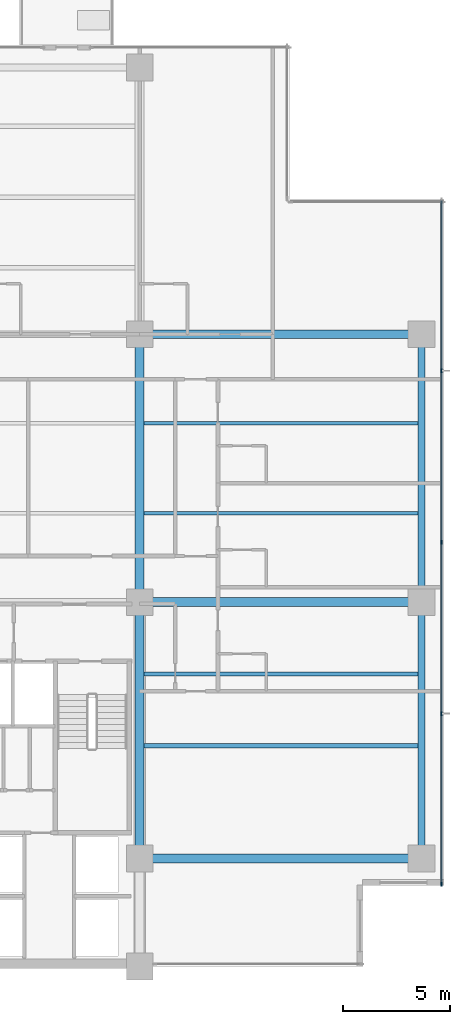
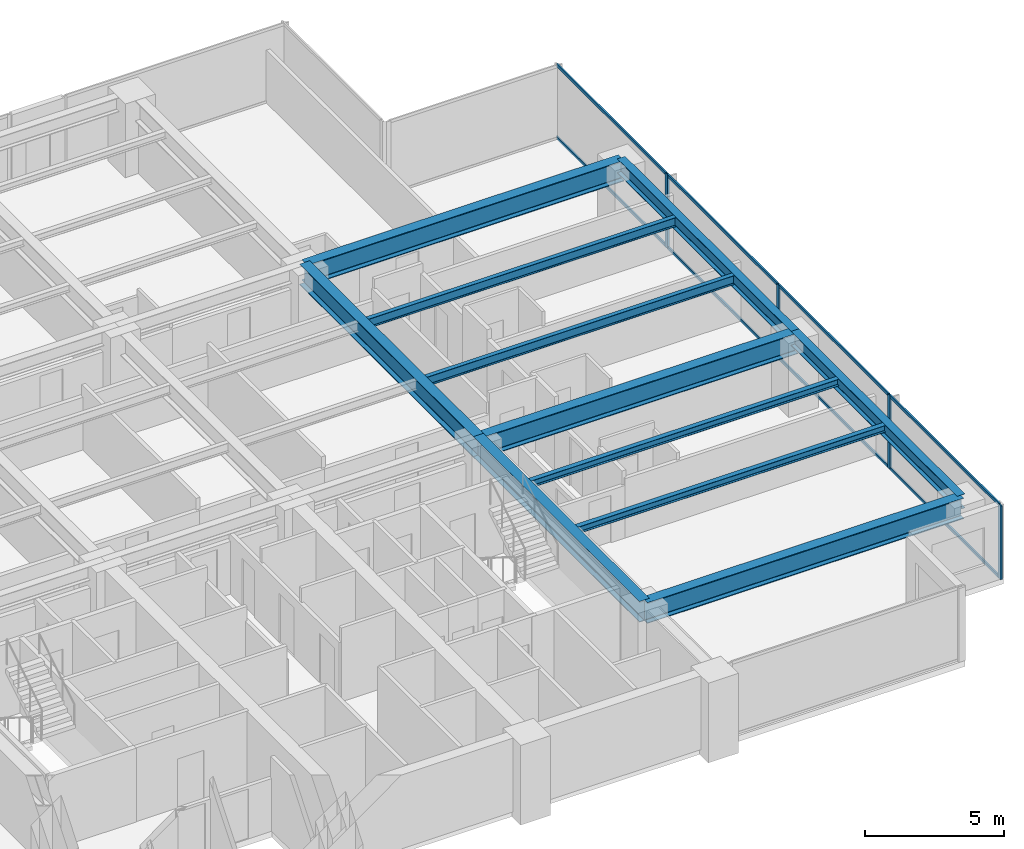
# One storey, part 4 of 17: 12 members, 11 beams, 1 element without a shape of its own.
"""IFC4 building model written with IfcOpenShell, lengths in metres."""

from ifc_helpers import new_model, si_unit, direction, frame, origin, origin_2d, place, context, subcontext, project, spatial, rectangle, i_section, extrude, material, layer, layer_set, material_profile, profile_set, type_object, element, aggregate, save


model = new_model("IFC4")

# Units and contexts
model_context = context("Model", 3, precision=1e-05, world=origin(), true_north=direction((0.0, 1.0)))
body_context = subcontext(model_context, "Body", "Model", "MODEL_VIEW")
ifc_project = project(units=[si_unit("LENGTHUNIT", "METRE"), si_unit("AREAUNIT", "SQUARE_METRE"), si_unit("VOLUMEUNIT", "CUBIC_METRE"), si_unit("PLANEANGLEUNIT", "RADIAN"), si_unit("MASSUNIT", "GRAM", prefix="KILO")], contexts=[model_context])

# Site, building, storey
site_placement = place(None, origin())
site = spatial("IfcSite", under=ifc_project, at=site_placement, CompositionType="ELEMENT")
building_placement = place(site_placement, origin())
building = spatial("IfcBuilding", under=site, at=building_placement, Name="Qalmaran Belvedere Hotel", CompositionType="ELEMENT")
storey_placement = place(building_placement, frame((0.0, 0.0, 88.199951171875)))
storey = spatial("IfcBuildingStorey", under=building, at=storey_placement, Name="L21", CompositionType="ELEMENT", Elevation=88.199951171875)

# Beams
ifc_material_1 = material(Name="Steel S355JR", Category="steel")
ifc_material_profile_1 = material_profile(ifc_material_1, i_section(OverallWidth=0.202880859375, OverallDepth=0.302978515625, WebThickness=0.007568359375, FlangeThickness=0.01318359375, FilletRadius=0.012939453125, at=origin_2d()), Name="W310X60")
ifc_profile_set_1 = profile_set([ifc_material_profile_1], Name="Steel S355JR")
beam_type_1 = type_object("IfcBeamType", Name="BM-JST-W310X60", PredefinedType="JOIST", material=ifc_profile_set_1)
for number, where, z_axis, x_axis, name in (
    (1, (45.007080078125, 13.800048828125, 3.088623046875), (1.0, 0.0, 0.0), (0.0, 1.0, 0.0), "L21 East Wing Joist 039"),
    (2, (45.007080078125, 17.14990234375, 3.088623046875), (1.0, 0.0, 0.0), (0.0, 1.0, 0.0), "L21 East Wing Joist 041"),
):
    element("IfcBeam", number, at=place(storey_placement, frame(where, z_axis=z_axis, x_axis=x_axis)), inside=storey, type_object=beam_type_1, Name=name, PredefinedType="JOIST", context=body_context, shape_type="SweptSolid", body=[
        extrude(i_section(OverallWidth=0.202880859375, OverallDepth=0.302978515625, WebThickness=0.007568359375, FlangeThickness=0.01318359375, FilletRadius=0.012939453125, at=origin_2d()), origin(), (0.0, 0.0, 1.0), 12.781494140625),
    ])
ifc_material_profile_2 = material_profile(ifc_material_1, i_section(OverallWidth=0.41796875, OverallDepth=0.912109375, WebThickness=0.019287109375, FlangeThickness=0.031982421875, FilletRadius=0.02392578125, at=origin_2d()), Name="W920X342")
ifc_profile_set_2 = profile_set([ifc_material_profile_2], Name="Steel S355JR")
beam_type_2 = type_object("IfcBeamType", Name="BM-PG2-W920X342", PredefinedType="USERDEFINED", material=ifc_profile_set_2)
beam_1_placement = place(storey_placement, frame((44.800048828125, 20.5, 2.783935546875), z_axis=(0.0, 1.0, 0.0), x_axis=(-1.0, 0.0, 0.0)))
element("IfcBeam", 3, at=beam_1_placement, inside=storey, type_object=beam_type_2, Name="L21 Mid-Plate N-S Girder 20", ObjectType="GIRDER", PredefinedType="USERDEFINED", context=body_context, shape_type="SweptSolid", body=[
    extrude(i_section(OverallWidth=0.41796875, OverallDepth=0.912109375, WebThickness=0.019287109375, FlangeThickness=0.031982421875, FilletRadius=0.02392578125, at=origin_2d()), origin(), (0.0, 0.0, 1.0), 12.5),
])
beam_2_placement = place(storey_placement, frame((44.800048828125, 8.550048828125, 2.783935546875), z_axis=(0.0, 1.0, 0.0), x_axis=(-1.0, 0.0, 0.0)))
element("IfcBeam", 4, at=beam_2_placement, inside=storey, type_object=beam_type_2, Name="L21 East Core Edge Girder B", ObjectType="GIRDER", PredefinedType="USERDEFINED", context=body_context, shape_type="SweptSolid", body=[
    extrude(i_section(OverallWidth=0.41796875, OverallDepth=0.912109375, WebThickness=0.019287109375, FlangeThickness=0.031982421875, FilletRadius=0.02392578125, at=origin_2d()), origin(), (0.0, 0.0, 1.0), 11.949951171875),
])
for number, where, z_axis, x_axis, name in (
    (5, (44.800048828125, 8.550048828125, 2.783935546875), (1.0, 0.0, 0.0), (0.0, 1.0, 0.0), "L21 East Wing Girder 25"),
    (6, (44.800048828125, 20.5, 2.783935546875), (1.0, 0.0, 0.0), (0.0, 1.0, 0.0), "L21 East Wing Girder 26"),
    (7, (44.800048828125, 33.0, 2.783935546875), (1.0, 0.0, 0.0), (0.0, 1.0, 0.0), "L21 East Wing Girder 27"),
):
    element("IfcBeam", number, at=place(storey_placement, frame(where, z_axis=z_axis, x_axis=x_axis)), inside=storey, type_object=beam_type_2, Name=name, ObjectType="GIRDER", PredefinedType="USERDEFINED", context=body_context, shape_type="SweptSolid", body=[
        extrude(i_section(OverallWidth=0.41796875, OverallDepth=0.912109375, WebThickness=0.019287109375, FlangeThickness=0.031982421875, FilletRadius=0.02392578125, at=origin_2d()), origin(), (0.0, 0.0, 1.0), 13.14990234375),
    ])
ifc_material_profile_3 = material_profile(ifc_material_1, i_section(OverallWidth=0.177978515625, OverallDepth=0.406982421875, WebThickness=0.0078125, FlangeThickness=0.0126953125, FilletRadius=0.014892578125, at=origin_2d()), Name="W410X60")
ifc_profile_set_3 = profile_set([ifc_material_profile_3], Name="Steel S355JR")
beam_type_3 = type_object("IfcBeamType", Name="BM-SB2-W410X60", PredefinedType="BEAM", material=ifc_profile_set_3)
for number, where, z_axis, x_axis, name in (
    (8, (45.007080078125, 24.64990234375, 3.03662109375), (1.0, 0.0, 0.0), (0.0, 1.0, 0.0), "L21 East Secondary Beam 032"),
    (9, (45.007080078125, 28.85009765625, 3.03662109375), (1.0, 0.0, 0.0), (0.0, 1.0, 0.0), "L21 East Secondary Beam 037"),
):
    element("IfcBeam", number, at=place(storey_placement, frame(where, z_axis=z_axis, x_axis=x_axis)), inside=storey, type_object=beam_type_3, Name=name, PredefinedType="BEAM", context=body_context, shape_type="SweptSolid", body=[
        extrude(i_section(OverallWidth=0.177978515625, OverallDepth=0.406982421875, WebThickness=0.0078125, FlangeThickness=0.0126953125, FilletRadius=0.014892578125, at=origin_2d()), origin(), (0.0, 0.0, 1.0), 12.781494140625),
    ])
ifc_material_profile_4 = material_profile(ifc_material_1, i_section(OverallWidth=0.326904296875, OverallDepth=0.6220703125, WebThickness=0.015380859375, FlangeThickness=0.0244140625, FilletRadius=0.02001953125, at=origin_2d()), Name="W610X195")
ifc_profile_set_4 = profile_set([ifc_material_profile_4], Name="Steel S355JR")
beam_type_4 = type_object("IfcBeamType", Name="BM-SP1-W610X195", PredefinedType="SPANDREL", material=ifc_profile_set_4)
beam_3_placement = place(storey_placement, frame((57.949951171875, 8.550048828125, 2.928955078125), z_axis=(0.0, 1.0, 0.0), x_axis=(-1.0, 0.0, 0.0)))
element("IfcBeam", 10, at=beam_3_placement, inside=storey, type_object=beam_type_4, Name="L21 Perimeter Spandrel 03", PredefinedType="SPANDREL", context=body_context, shape_type="SweptSolid", body=[
    extrude(i_section(OverallWidth=0.326904296875, OverallDepth=0.6220703125, WebThickness=0.015380859375, FlangeThickness=0.0244140625, FilletRadius=0.02001953125, at=origin_2d()), origin(), (0.0, 0.0, 1.0), 11.949951171875),
])
beam_4_placement = place(storey_placement, frame((57.949951171875, 20.5, 2.928955078125), z_axis=(0.0, 1.0, 0.0), x_axis=(-1.0, 0.0, 0.0)))
element("IfcBeam", 11, at=beam_4_placement, inside=storey, type_object=beam_type_4, Name="L21 Perimeter Spandrel 04", PredefinedType="SPANDREL", context=body_context, shape_type="SweptSolid", body=[
    extrude(i_section(OverallWidth=0.326904296875, OverallDepth=0.6220703125, WebThickness=0.015380859375, FlangeThickness=0.0244140625, FilletRadius=0.02001953125, at=origin_2d()), origin(), (0.0, 0.0, 1.0), 12.5),
])

# Curtain wall, members
ifc_material_2 = material(Name="Anodised Bronze Aluminium", Category="aluminium")
ifc_layer = layer(ifc_material_2, 0.199951171875, Name="Anodised Bronze Aluminium")
ifc_layer_set = layer_set([ifc_layer], Name="Anodised Bronze Aluminium")
curtain_wall_type = type_object("IfcCurtainWallType", Name="CW3-TOWER-LOWMID", PredefinedType="NOTDEFINED", material=ifc_layer_set)
curtain_wall_placement = place(storey_placement, origin())
curtain_wall = element("IfcCurtainWall", 12, at=curtain_wall_placement, inside=storey, type_object=curtain_wall_type, Name="L21 Curtain Wall CW3", PredefinedType="NOTDEFINED")
ifc_material_profile_5 = material_profile(ifc_material_2, rectangle(XDim=0.070068359375, YDim=0.18994140625, at=origin_2d()), Name="CWM70X190")
ifc_profile_set_5 = profile_set([ifc_material_profile_5], Name="Anodised Bronze Aluminium")
member_type_1 = type_object("IfcMemberType", Name="CWM-70X190", PredefinedType="MULLION", material=ifc_profile_set_5)
member_1_placement = place(storey_placement, frame((58.8798828125, 7.3349609375, 0.0), z_axis=(0.0, 0.0, 1.0), x_axis=(-1.0, 0.0, 0.0)))
member_1 = element("IfcMember", 13, at=member_1_placement, type_object=member_type_1, Name="CW3 mullion 1", PredefinedType="MULLION", context=body_context, shape_type="SweptSolid", body=[
    extrude(rectangle(XDim=0.070068359375, YDim=0.18994140625, at=origin_2d()), origin(), (0.0, 0.0, 1.0), 3.239990234375),
])
member_2_placement = place(storey_placement, frame((58.8798828125, 15.300048828125, 0.0), z_axis=(0.0, 0.0, 1.0), x_axis=(-1.0, 0.0, 0.0)))
member_2 = element("IfcMember", 14, at=member_2_placement, type_object=member_type_1, Name="CW3 mullion 2", PredefinedType="MULLION", context=body_context, shape_type="SweptSolid", body=[
    extrude(rectangle(XDim=0.070068359375, YDim=0.18994140625, at=origin_2d()), origin(), (0.0, 0.0, 1.0), 3.239990234375),
])
member_3_placement = place(storey_placement, frame((58.8798828125, 23.300048828125, 0.0), z_axis=(0.0, 0.0, 1.0), x_axis=(-1.0, 0.0, 0.0)))
member_3 = element("IfcMember", 15, at=member_3_placement, type_object=member_type_1, Name="CW3 mullion 3", PredefinedType="MULLION", context=body_context, shape_type="SweptSolid", body=[
    extrude(rectangle(XDim=0.070068359375, YDim=0.18994140625, at=origin_2d()), origin(), (0.0, 0.0, 1.0), 3.239990234375),
])
member_4_placement = place(storey_placement, frame((58.8798828125, 31.300048828125, 0.0), z_axis=(0.0, 0.0, 1.0), x_axis=(-1.0, 0.0, 0.0)))
member_4 = element("IfcMember", 16, at=member_4_placement, type_object=member_type_1, Name="CW3 mullion 4", PredefinedType="MULLION", context=body_context, shape_type="SweptSolid", body=[
    extrude(rectangle(XDim=0.070068359375, YDim=0.18994140625, at=origin_2d()), origin(), (0.0, 0.0, 1.0), 3.239990234375),
])
ifc_material_profile_6 = material_profile(ifc_material_2, rectangle(XDim=0.06494140625, YDim=0.1298828125, at=origin_2d()), Name="CWT65X130")
ifc_profile_set_6 = profile_set([ifc_material_profile_6], Name="Anodised Bronze Aluminium")
member_type_2 = type_object("IfcMemberType", Name="CWT-65X130", PredefinedType="USERDEFINED", material=ifc_profile_set_6)
member_5_placement = place(storey_placement, frame((58.8798828125, 7.3701171875, 0.032470703125), z_axis=(0.0, 1.0, 0.0), x_axis=(-1.0, 0.0, 0.0)))
member_5 = element("IfcMember", 17, at=member_5_placement, type_object=member_type_2, Name="CW3 transom 1.1", ObjectType="TRANSOM", PredefinedType="USERDEFINED", context=body_context, shape_type="SweptSolid", body=[
    extrude(rectangle(XDim=0.06494140625, YDim=0.1298828125, at=origin_2d()), origin(), (0.0, 0.0, 1.0), 7.894775390625),
])
member_6_placement = place(storey_placement, frame((58.8798828125, 7.3701171875, 3.20751953125), z_axis=(0.0, 1.0, 0.0), x_axis=(-1.0, 0.0, 0.0)))
member_6 = element("IfcMember", 18, at=member_6_placement, type_object=member_type_2, Name="CW3 transom 1.2", ObjectType="TRANSOM", PredefinedType="USERDEFINED", context=body_context, shape_type="SweptSolid", body=[
    extrude(rectangle(XDim=0.06494140625, YDim=0.1298828125, at=origin_2d()), origin(), (0.0, 0.0, 1.0), 7.894775390625),
])
member_7_placement = place(storey_placement, frame((58.8798828125, 15.3349609375, 0.032470703125), z_axis=(0.0, 1.0, 0.0), x_axis=(-1.0, 0.0, 0.0)))
member_7 = element("IfcMember", 19, at=member_7_placement, type_object=member_type_2, Name="CW3 transom 2.1", ObjectType="TRANSOM", PredefinedType="USERDEFINED", context=body_context, shape_type="SweptSolid", body=[
    extrude(rectangle(XDim=0.06494140625, YDim=0.1298828125, at=origin_2d()), origin(), (0.0, 0.0, 1.0), 7.929931640625),
])
member_8_placement = place(storey_placement, frame((58.8798828125, 15.3349609375, 3.20751953125), z_axis=(0.0, 1.0, 0.0), x_axis=(-1.0, 0.0, 0.0)))
member_8 = element("IfcMember", 20, at=member_8_placement, type_object=member_type_2, Name="CW3 transom 2.2", ObjectType="TRANSOM", PredefinedType="USERDEFINED", context=body_context, shape_type="SweptSolid", body=[
    extrude(rectangle(XDim=0.06494140625, YDim=0.1298828125, at=origin_2d()), origin(), (0.0, 0.0, 1.0), 7.929931640625),
])
member_9_placement = place(storey_placement, frame((58.8798828125, 23.3349609375, 0.032470703125), z_axis=(0.0, 1.0, 0.0), x_axis=(-1.0, 0.0, 0.0)))
member_9 = element("IfcMember", 21, at=member_9_placement, type_object=member_type_2, Name="CW3 transom 3.1", ObjectType="TRANSOM", PredefinedType="USERDEFINED", context=body_context, shape_type="SweptSolid", body=[
    extrude(rectangle(XDim=0.06494140625, YDim=0.1298828125, at=origin_2d()), origin(), (0.0, 0.0, 1.0), 7.929931640625),
])
member_10_placement = place(storey_placement, frame((58.8798828125, 23.3349609375, 3.20751953125), z_axis=(0.0, 1.0, 0.0), x_axis=(-1.0, 0.0, 0.0)))
member_10 = element("IfcMember", 22, at=member_10_placement, type_object=member_type_2, Name="CW3 transom 3.2", ObjectType="TRANSOM", PredefinedType="USERDEFINED", context=body_context, shape_type="SweptSolid", body=[
    extrude(rectangle(XDim=0.06494140625, YDim=0.1298828125, at=origin_2d()), origin(), (0.0, 0.0, 1.0), 7.929931640625),
])
member_11_placement = place(storey_placement, frame((58.8798828125, 31.3349609375, 0.032470703125), z_axis=(0.0, 1.0, 0.0), x_axis=(-1.0, 0.0, 0.0)))
member_11 = element("IfcMember", 23, at=member_11_placement, type_object=member_type_2, Name="CW3 transom 4.1", ObjectType="TRANSOM", PredefinedType="USERDEFINED", context=body_context, shape_type="SweptSolid", body=[
    extrude(rectangle(XDim=0.06494140625, YDim=0.1298828125, at=origin_2d()), origin(), (0.0, 0.0, 1.0), 7.89501953125),
])
member_12_placement = place(storey_placement, frame((58.8798828125, 31.3349609375, 3.20751953125), z_axis=(0.0, 1.0, 0.0), x_axis=(-1.0, 0.0, 0.0)))
member_12 = element("IfcMember", 24, at=member_12_placement, type_object=member_type_2, Name="CW3 transom 4.2", ObjectType="TRANSOM", PredefinedType="USERDEFINED", context=body_context, shape_type="SweptSolid", body=[
    extrude(rectangle(XDim=0.06494140625, YDim=0.1298828125, at=origin_2d()), origin(), (0.0, 0.0, 1.0), 7.89501953125),
])
aggregate(curtain_wall, [member_1, member_2, member_3, member_4, member_5, member_6, member_7, member_8, member_9, member_10, member_11, member_12])

save(model, "model.ifc")
